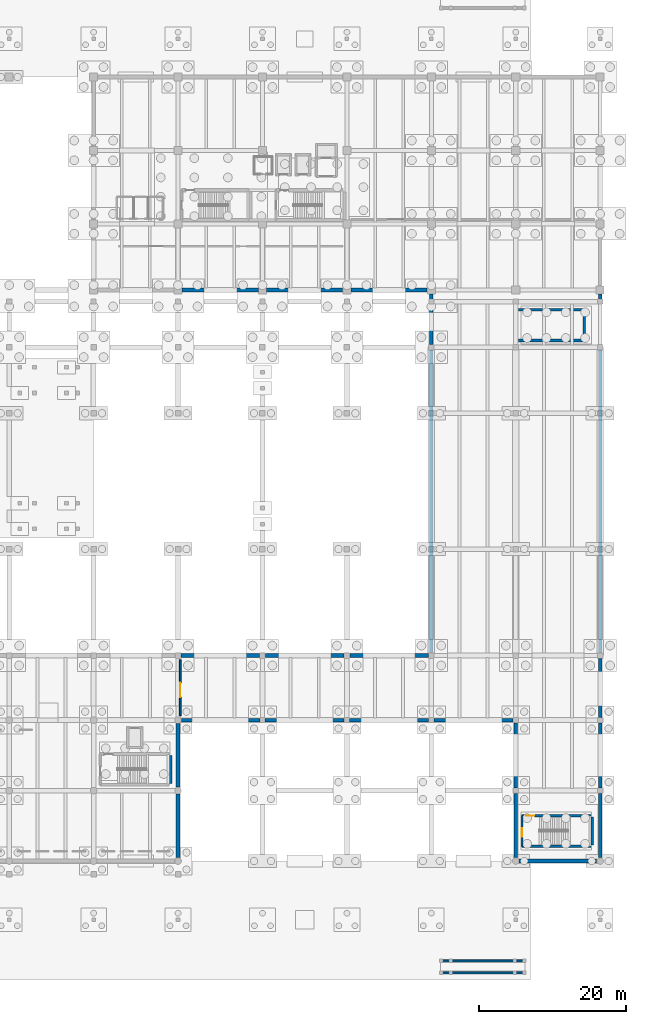
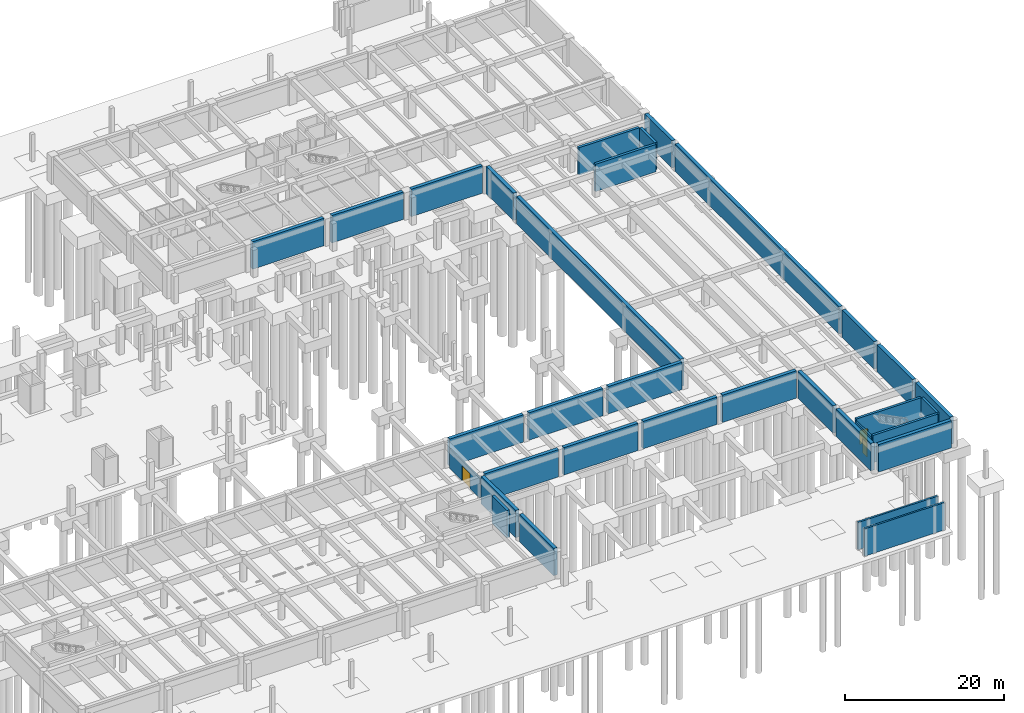
# One storey, part 22 of 28: 33 walls, 3 doors, 3 openings.
"""IFC4 building model written with IfcOpenShell, lengths in metres."""

from ifc_helpers import new_model, si_unit, direction, frame, frame_2d, origin, place, context, subcontext, project, spatial, rectangle, extrude, material, layer, layer_set, type_object, element, fill, save


model = new_model("IFC4")

# Units and contexts
model_context = context("Model", 3, precision=1e-05, world=origin(), true_north=direction((0.0, 1.0)))
body_context = subcontext(model_context, "Body", "Model", "MODEL_VIEW")
ifc_project = project(units=[si_unit("LENGTHUNIT", "METRE"), si_unit("AREAUNIT", "SQUARE_METRE"), si_unit("VOLUMEUNIT", "CUBIC_METRE"), si_unit("PLANEANGLEUNIT", "RADIAN"), si_unit("MASSUNIT", "GRAM", prefix="KILO")], contexts=[model_context])

# Site, building, storey
site_placement = place(None, origin())
site = spatial("IfcSite", under=ifc_project, at=site_placement, CompositionType="ELEMENT")
building_placement = place(site_placement, origin())
building = spatial("IfcBuilding", under=site, at=building_placement, Name="Ologun Quay Terminus", CompositionType="ELEMENT")
storey_placement = place(building_placement, frame((0.0, 0.0, -8.39990234375)))
storey = spatial("IfcBuildingStorey", under=building, at=storey_placement, Name="B02", CompositionType="ELEMENT", Elevation=-8.39990234375)

# Walls
ifc_material_1 = material(Name="Concrete C35/45", Category="concrete")
ifc_layer_1 = layer(ifc_material_1, 0.5)
ifc_layer_set_1 = layer_set([ifc_layer_1], Name="Concrete C35/45")
wall_type_1 = type_object("IfcWallType", Name="Basement Perimeter Retaining Wall 500", PredefinedType="SHEAR", material=ifc_layer_set_1)
for number, where, z_axis, x_axis, name in (
    (1, (126.5, 8.469970703125, 0.0), (0.0, 0.0, 1.0), (0.0, 1.0, 0.0), "Retaining Wall S6-Y1 B02"),
    (2, (126.5, 18.070068359375, 0.0), (0.0, 0.0, 1.0), (0.0, 1.0, 0.0), "Retaining Wall S6-Y2 B02"),
):
    element("IfcWall", number, at=place(storey_placement, frame(where, z_axis=z_axis, x_axis=x_axis)), inside=storey, type_object=wall_type_1, Name=name, PredefinedType="SHEAR", context=body_context, shape_type="SweptSolid", body=[
        extrude(rectangle(XDim=8.659912109375, YDim=0.5, at=frame_2d((4.330078125, 0.0))), origin(), (0.0, 0.0, 1.0), 4.199951171875),
    ])
wall_1_placement = place(storey_placement, frame((126.969970703125, 27.199951171875, 0.0), z_axis=(0.0, 0.0, 1.0), x_axis=(1.0, 0.0, 0.0)))
element("IfcWall", 3, at=wall_1_placement, inside=storey, type_object=wall_type_1, Name="Retaining Wall S7-12 B02", PredefinedType="SHEAR", context=body_context, shape_type="SweptSolid", body=[
    extrude(rectangle(XDim=10.659912109375, YDim=0.5, at=frame_2d((5.330078125, 0.0))), origin(), (0.0, 0.0, 1.0), 4.199951171875),
])
for number, where, z_axis, x_axis, name in (
    (4, (138.3701171875, 27.199951171875, 0.0), (0.0, 0.0, 1.0), (1.0, 0.0, 0.0), "Retaining Wall S7-13 B02"),
    (5, (149.8701171875, 27.199951171875, 0.0), (0.0, 0.0, 1.0), (1.0, 0.0, 0.0), "Retaining Wall S7-14 B02"),
    (6, (161.3701171875, 27.199951171875, 0.0), (0.0, 0.0, 1.0), (1.0, 0.0, 0.0), "Retaining Wall S7-15 B02"),
):
    element("IfcWall", number, at=place(storey_placement, frame(where, z_axis=z_axis, x_axis=x_axis)), inside=storey, type_object=wall_type_1, Name=name, PredefinedType="SHEAR", context=body_context, shape_type="SweptSolid", body=[
        extrude(rectangle(XDim=10.759765625, YDim=0.5, at=frame_2d((5.3798828125, 0.0))), origin(), (0.0, 0.0, 1.0), 4.199951171875),
    ])
wall_2_placement = place(storey_placement, frame((172.5, 8.469970703125, 0.0), z_axis=(0.0, 0.0, 1.0), x_axis=(0.0, 1.0, 0.0)))
element("IfcWall", 7, at=wall_2_placement, inside=storey, type_object=wall_type_1, Name="Retaining Wall S8-Y1 B02", PredefinedType="SHEAR", context=body_context, shape_type="SweptSolid", body=[
    extrude(rectangle(XDim=8.760009765625, YDim=0.5, at=frame_2d((4.3798828125, 0.0))), origin(), (0.0, 0.0, 1.0), 4.199951171875),
])
wall_3_placement = place(storey_placement, frame((172.5, 17.969970703125, 0.0), z_axis=(0.0, 0.0, 1.0), x_axis=(0.0, 1.0, 0.0)))
element("IfcWall", 8, at=wall_3_placement, inside=storey, type_object=wall_type_1, Name="Retaining Wall S8-Y2 B02", PredefinedType="SHEAR", context=body_context, shape_type="SweptSolid", body=[
    extrude(rectangle(XDim=8.860107421875, YDim=0.5, at=frame_2d((4.43017578125, 0.0))), origin(), (0.0, 0.0, 1.0), 4.199951171875),
])
wall_4_placement = place(storey_placement, frame((172.969970703125, 8.0, 0.0), z_axis=(0.0, 0.0, 1.0), x_axis=(1.0, 0.0, 0.0)))
element("IfcWall", 9, at=wall_4_placement, inside=storey, type_object=wall_type_1, Name="Retaining Wall S9-16 B02", PredefinedType="SHEAR", context=body_context, shape_type="SweptSolid", body=[
    extrude(rectangle(XDim=10.56005859375, YDim=0.5, at=frame_2d((5.280029296875, 0.0))), origin(), (0.0, 0.0, 1.0), 4.199951171875),
])
wall_5_placement = place(storey_placement, frame((184.0, 8.469970703125, 0.0), z_axis=(0.0, 0.0, 1.0), x_axis=(0.0, 1.0, 0.0)))
element("IfcWall", 10, at=wall_5_placement, inside=storey, type_object=wall_type_1, Name="Retaining Wall EG-Y1 B02", PredefinedType="SHEAR", context=body_context, shape_type="SweptSolid", body=[
    extrude(rectangle(XDim=8.760009765625, YDim=0.5, at=frame_2d((4.3798828125, 0.0))), origin(), (0.0, 0.0, 1.0), 4.199951171875),
])
wall_6_placement = place(storey_placement, frame((184.0, 17.969970703125, 0.0), z_axis=(0.0, 0.0, 1.0), x_axis=(0.0, 1.0, 0.0)))
element("IfcWall", 11, at=wall_6_placement, inside=storey, type_object=wall_type_1, Name="Retaining Wall EG-Y2 B02", PredefinedType="SHEAR", context=body_context, shape_type="SweptSolid", body=[
    extrude(rectangle(XDim=8.860107421875, YDim=0.5, at=frame_2d((4.43017578125, 0.0))), origin(), (0.0, 0.0, 1.0), 4.199951171875),
])
wall_7_placement = place(storey_placement, frame((184.0, 27.570068359375, 0.0), z_axis=(0.0, 0.0, 1.0), x_axis=(0.0, 1.0, 0.0)))
element("IfcWall", 12, at=wall_7_placement, inside=storey, type_object=wall_type_1, Name="Retaining Wall EG-Y3 B02", PredefinedType="SHEAR", context=body_context, shape_type="SweptSolid", body=[
    extrude(rectangle(XDim=8.034912109375, YDim=0.5, at=frame_2d((4.017578125, 0.0))), origin(), (0.0, 0.0, 1.0), 4.199951171875),
])
wall_8_placement = place(storey_placement, frame((184.0, 36.39501953125, 0.0), z_axis=(0.0, 0.0, 1.0), x_axis=(0.0, 1.0, 0.0)))
element("IfcWall", 13, at=wall_8_placement, inside=storey, type_object=wall_type_1, Name="Retaining Wall EG-Y4 B02", PredefinedType="SHEAR", context=body_context, shape_type="SweptSolid", body=[
    extrude(rectangle(XDim=41.2099609375, YDim=0.5, at=frame_2d((20.60498046875, 0.0))), origin(), (0.0, 0.0, 1.0), 4.199951171875),
])
wall_9_placement = place(storey_placement, frame((184.0, 78.39501953125, 0.0), z_axis=(0.0, 0.0, 1.0), x_axis=(0.0, 1.0, 0.0)))
element("IfcWall", 14, at=wall_9_placement, inside=storey, type_object=wall_type_1, Name="Retaining Wall EG-Y5 B02", PredefinedType="SHEAR", context=body_context, shape_type="SweptSolid", body=[
    extrude(rectangle(XDim=6.8349609375, YDim=0.5, at=frame_2d((3.41748046875, 0.0))), origin(), (0.0, 0.0, 1.0), 4.199951171875),
])
for number, where, z_axis, x_axis, name in (
    (15, (126.89501953125, 36.0, 0.0), (0.0, 0.0, 1.0), (1.0, 0.0, 0.0), "Retaining Wall TS-12 B02"),
    (16, (138.39501953125, 36.0, 0.0), (0.0, 0.0, 1.0), (1.0, 0.0, 0.0), "Retaining Wall TS-13 B02"),
    (17, (149.89501953125, 36.0, 0.0), (0.0, 0.0, 1.0), (1.0, 0.0, 0.0), "Retaining Wall TS-14 B02"),
):
    element("IfcWall", number, at=place(storey_placement, frame(where, z_axis=z_axis, x_axis=x_axis)), inside=storey, type_object=wall_type_1, Name=name, PredefinedType="SHEAR", context=body_context, shape_type="SweptSolid", body=[
        extrude(rectangle(XDim=10.7099609375, YDim=0.5, at=frame_2d((5.35498046875, 0.0))), origin(), (0.0, 0.0, 1.0), 4.199951171875),
    ])
wall_10_placement = place(storey_placement, frame((161.0, 36.39501953125, 0.0), z_axis=(0.0, 0.0, 1.0), x_axis=(0.0, 1.0, 0.0)))
element("IfcWall", 18, at=wall_10_placement, inside=storey, type_object=wall_type_1, Name="Retaining Wall TE-Y1 B02", PredefinedType="SHEAR", context=body_context, shape_type="SweptSolid", body=[
    extrude(rectangle(XDim=41.2099609375, YDim=0.5, at=frame_2d((20.60498046875, 0.0))), origin(), (0.0, 0.0, 1.0), 4.199951171875),
])
wall_11_placement = place(storey_placement, frame((161.0, 78.39501953125, 0.0), z_axis=(0.0, 0.0, 1.0), x_axis=(0.0, 1.0, 0.0)))
element("IfcWall", 19, at=wall_11_placement, inside=storey, type_object=wall_type_1, Name="Retaining Wall TE-Y2 B02", PredefinedType="SHEAR", context=body_context, shape_type="SweptSolid", body=[
    extrude(rectangle(XDim=6.8349609375, YDim=0.5, at=frame_2d((3.41748046875, 0.0))), origin(), (0.0, 0.0, 1.0), 4.199951171875),
])
for number, where, z_axis, x_axis, name in (
    (20, (127.070068359375, 85.800048828125, 0.0), (0.0, 0.0, 1.0), (1.0, 0.0, 0.0), "Retaining Wall TNE-12 B02"),
    (21, (138.570068359375, 85.800048828125, 0.0), (0.0, 0.0, 1.0), (1.0, 0.0, 0.0), "Retaining Wall TNE-13 B02"),
    (22, (150.070068359375, 85.800048828125, 0.0), (0.0, 0.0, 1.0), (1.0, 0.0, 0.0), "Retaining Wall TNE-14 B02"),
):
    element("IfcWall", number, at=place(storey_placement, frame(where, z_axis=z_axis, x_axis=x_axis)), inside=storey, type_object=wall_type_1, Name=name, PredefinedType="SHEAR", context=body_context, shape_type="SweptSolid", body=[
        extrude(rectangle(XDim=10.35986328125, YDim=0.5, at=frame_2d((5.179931640625, 0.0))), origin(), (0.0, 0.0, 1.0), 4.199951171875),
    ])

# Wall, opening, door
ifc_material_2 = material(Name="Concrete C40/50", Category="concrete")
ifc_layer_2 = layer(ifc_material_2, 0.239990234375)
ifc_layer_set_2 = layer_set([ifc_layer_2], Name="Concrete C40/50")
wall_type_2 = type_object("IfcWallType", Name="Fire Compartment Blockwork Wall 240", PredefinedType="SOLIDWALL", material=ifc_layer_set_2)
wall_12_placement = place(storey_placement, frame((173.35009765625, 10.02001953125, 0.0), z_axis=(0.0, 0.0, 1.0), x_axis=(0.0, 1.0, 0.0)))
wall_12 = element("IfcWall", 23, at=wall_12_placement, inside=storey, type_object=wall_type_2, Name="PW-01 Partition ST-S2-W", PredefinedType="SOLIDWALL", context=body_context, shape_type="SweptSolid", body=[
    extrude(rectangle(XDim=4.159912109375, YDim=0.239990234375, at=frame_2d((2.080078125, 0.0))), origin(), (0.0, 0.0, 1.0), 3.89990234375),
])
opening_1_placement = place(wall_12_placement, frame((1.300048828125, 0.0, 0.0)))
opening_1 = element("IfcOpeningElement", 24, at=opening_1_placement, cuts=wall_12, Name="Opening ID-237", PredefinedType="OPENING", context=body_context, shape_type="SweptSolid", body=[
    extrude(rectangle(XDim=1.1298828125, YDim=2.14990234375, at=frame_2d((0.56494140625, 1.074951171875))), frame((0.0, 0.1298828125, 0.0), z_axis=(0.0, -1.0, 0.0), x_axis=(1.0, 0.0, 0.0)), (0.0, 0.0, 1.0), 0.260009765625),
])
ifc_material_3 = material(Name="Steel S355", Category="steel")
door_type_1 = type_object("IfcDoorType", Name="Stairwell Fire Escape Door 1130x2150", OperationType="SINGLE_SWING_LEFT", PredefinedType="DOOR", material=ifc_material_3)
door_1_placement = place(opening_1_placement, frame((0.56494140625, 0.0, 0.0), z_axis=(0.0, 0.0, 1.0), x_axis=(-1.0, 0.0, 0.0)))
door_1 = element("IfcDoor", 25, at=door_1_placement, inside=storey, type_object=door_type_1, Name="FD-01 Door ID-237", OperationType="SINGLE_SWING_LEFT", OverallHeight=2.14990234375, OverallWidth=1.1298828125, PredefinedType="DOOR", context=body_context, shape_type="SweptSolid", body=[
    extrude(rectangle(XDim=1.1298828125, YDim=2.14990234375, at=frame_2d((0.0, 1.074951171875))), frame((0.0, 0.02490234375, 0.0), z_axis=(0.0, -1.0, 0.0), x_axis=(1.0, 0.0, 0.0)), (0.0, 0.0, 1.0), 0.050048828125),
])
fill(opening_1, door_1)

ifc_material_4 = material(Name="Concrete C40/50", Category="concrete")
ifc_layer_3 = layer(ifc_material_4, 0.219970703125)
ifc_layer_set_3 = layer_set([ifc_layer_3], Name="Concrete C40/50")
wall_type_3 = type_object("IfcWallType", Name="Plant & Substation Acoustic Wall 220", PredefinedType="SOLIDWALL", material=ifc_layer_set_3)
wall_13_placement = place(storey_placement, frame((126.800048828125, 27.800048828125, 0.0), z_axis=(0.0, 0.0, 1.0), x_axis=(0.0, 1.0, 0.0)))
wall_13 = element("IfcWall", 26, at=wall_13_placement, inside=storey, type_object=wall_type_3, Name="PW-08 Partition B02-Chiller-W", PredefinedType="SOLIDWALL", context=body_context, shape_type="SweptSolid", body=[
    extrude(rectangle(XDim=7.599853515625, YDim=0.219970703125, at=frame_2d((3.7998046875, 0.0))), origin(), (0.0, 0.0, 1.0), 3.02001953125),
])
opening_2_placement = place(wall_13_placement, frame((2.5, 0.0, 0.0)))
opening_2 = element("IfcOpeningElement", 27, at=opening_2_placement, cuts=wall_13, Name="Opening ID-289", PredefinedType="OPENING", context=body_context, shape_type="SweptSolid", body=[
    extrude(rectangle(XDim=2.0, YDim=2.300048828125, at=frame_2d((1.0, 1.14990234375))), frame((0.0, 0.1201171875, 0.0), z_axis=(0.0, -1.0, 0.0), x_axis=(1.0, 0.0, 0.0)), (0.0, 0.0, 1.0), 0.239990234375),
])
ifc_material_5 = material(Name="Steel S355", Category="steel")
door_type_2 = type_object("IfcDoorType", Name="Plant Room Heavy Fire Pair 2000x2300", OperationType="DOUBLE_DOOR_SINGLE_SWING", PredefinedType="DOOR", material=ifc_material_5)
door_2_placement = place(opening_2_placement, origin())
door_2 = element("IfcDoor", 28, at=door_2_placement, inside=storey, type_object=door_type_2, Name="FD-04 Door ID-289", OperationType="DOUBLE_DOOR_SINGLE_SWING", OverallHeight=2.300048828125, OverallWidth=2.0, PredefinedType="DOOR", context=body_context, shape_type="SweptSolid", body=[
    extrude(rectangle(XDim=2.0, YDim=2.300048828125, at=frame_2d((1.0, 1.14990234375))), frame((0.0, 0.02490234375, 0.0), z_axis=(0.0, -1.0, 0.0), x_axis=(1.0, 0.0, 0.0)), (0.0, 0.0, 1.0), 0.050048828125),
])
fill(opening_2, door_2)

# Walls
ifc_material_6 = material(Name="Concrete C40/50", Category="concrete")
ifc_layer_4 = layer(ifc_material_6, 0.3798828125)
ifc_layer_set_4 = layer_set([ifc_layer_4], Name="Concrete C40/50")
wall_type_4 = type_object("IfcWallType", Name="Platform Spine Shear Wall 380", PredefinedType="SHEAR", material=ifc_layer_set_4)
wall_14_placement = place(storey_placement, frame((125.489990234375, 18.60009765625, 0.0), z_axis=(0.0, 0.0, 1.0), x_axis=(0.0, 1.0, 0.0)))
element("IfcWall", 29, at=wall_14_placement, inside=storey, type_object=wall_type_4, Name="Station Core 4 E Shear Wall B02", PredefinedType="SHEAR", context=body_context, shape_type="SweptSolid", body=[
    extrude(rectangle(XDim=3.7998046875, YDim=0.3798828125, at=frame_2d((1.89990234375, 0.0))), origin(), (0.0, 0.0, 1.0), 4.199951171875),
])
for number, where, z_axis, x_axis, name in (
    (30, (172.85009765625, 78.909912109375, 0.0), (0.0, 0.0, 1.0), (1.0, 0.0, 0.0), "Station Core 6 S Shear Wall B02"),
    (31, (172.85009765625, 83.090087890625, 0.0), (0.0, 0.0, 1.0), (1.0, 0.0, 0.0), "Station Core 6 N Shear Wall B02"),
):
    element("IfcWall", number, at=place(storey_placement, frame(where, z_axis=z_axis, x_axis=x_axis)), inside=storey, type_object=wall_type_4, Name=name, PredefinedType="SHEAR", context=body_context, shape_type="SweptSolid", body=[
        extrude(rectangle(XDim=8.7998046875, YDim=0.3798828125, at=frame_2d((4.39990234375, 0.0))), origin(), (0.0, 0.0, 1.0), 4.199951171875),
    ])
wall_15_placement = place(storey_placement, frame((181.840087890625, 79.10009765625, 0.0), z_axis=(0.0, 0.0, 1.0), x_axis=(0.0, 1.0, 0.0)))
element("IfcWall", 32, at=wall_15_placement, inside=storey, type_object=wall_type_4, Name="Station Core 6 E Shear Wall B02", PredefinedType="SHEAR", context=body_context, shape_type="SweptSolid", body=[
    extrude(rectangle(XDim=3.7998046875, YDim=0.3798828125, at=frame_2d((1.89990234375, 0.0))), origin(), (0.0, 0.0, 1.0), 4.199951171875),
])
ifc_material_7 = material(Name="Concrete C40/50", Category="concrete")
ifc_layer_5 = layer(ifc_material_7, 0.35009765625)
ifc_layer_set_5 = layer_set([ifc_layer_5], Name="Concrete C40/50")
wall_type_5 = type_object("IfcWallType", Name="Station Core Shear Wall 350", PredefinedType="SHEAR", material=ifc_layer_set_5)
wall_16_placement = place(storey_placement, frame((173.35009765625, 10.02490234375, 0.0), z_axis=(0.0, 0.0, 1.0), x_axis=(1.0, 0.0, 0.0)))
element("IfcWall", 33, at=wall_16_placement, inside=storey, type_object=wall_type_5, Name="Station Core 2 S Shear Wall B02", PredefinedType="SHEAR", context=body_context, shape_type="SweptSolid", body=[
    extrude(rectangle(XDim=9.39990234375, YDim=0.35009765625, at=frame_2d((4.699951171875, 0.0))), origin(), (0.0, 0.0, 1.0), 4.199951171875),
])

# Wall, opening, door
wall_17_placement = place(storey_placement, frame((173.35009765625, 14.175048828125, 0.0), z_axis=(0.0, 0.0, 1.0), x_axis=(1.0, 0.0, 0.0)))
wall_17 = element("IfcWall", 34, at=wall_17_placement, inside=storey, type_object=wall_type_5, Name="Station Core 2 N Shear Wall B02", PredefinedType="SHEAR", context=body_context, shape_type="SweptSolid", body=[
    extrude(rectangle(XDim=9.39990234375, YDim=0.35009765625, at=frame_2d((4.699951171875, 0.0))), origin(), (0.0, 0.0, 1.0), 4.199951171875),
])
opening_3_placement = place(wall_17_placement, frame((0.550048828125, 0.0, 0.0)))
opening_3 = element("IfcOpeningElement", 35, at=opening_3_placement, cuts=wall_17, Name="Opening ID-238", PredefinedType="OPENING", context=body_context, shape_type="SweptSolid", body=[
    extrude(rectangle(XDim=1.1298828125, YDim=2.14990234375, at=frame_2d((0.56494140625, 1.074951171875))), frame((0.0, 0.18505859375, 0.0), z_axis=(0.0, -1.0, 0.0), x_axis=(1.0, 0.0, 0.0)), (0.0, 0.0, 1.0), 0.3701171875),
])
door_3_placement = place(opening_3_placement, frame((0.56494140625, 0.0, 0.0), z_axis=(0.0, 0.0, 1.0), x_axis=(-1.0, 0.0, 0.0)))
door_3 = element("IfcDoor", 36, at=door_3_placement, inside=storey, type_object=door_type_1, Name="FD-01 Door ID-238", OperationType="SINGLE_SWING_LEFT", OverallHeight=2.14990234375, OverallWidth=1.1298828125, PredefinedType="DOOR", context=body_context, shape_type="SweptSolid", body=[
    extrude(rectangle(XDim=1.1298828125, YDim=2.14990234375, at=frame_2d((0.0, 1.074951171875))), frame((0.0, 0.02490234375, 0.0), z_axis=(0.0, -1.0, 0.0), x_axis=(1.0, 0.0, 0.0)), (0.0, 0.0, 1.0), 0.050048828125),
])
fill(opening_3, door_3)

# Walls
wall_18_placement = place(storey_placement, frame((182.925048828125, 10.199951171875, 0.0), z_axis=(0.0, 0.0, 1.0), x_axis=(0.0, 1.0, 0.0)))
element("IfcWall", 37, at=wall_18_placement, inside=storey, type_object=wall_type_5, Name="Station Core 2 E Shear Wall B02", PredefinedType="SHEAR", context=body_context, shape_type="SweptSolid", body=[
    extrude(rectangle(XDim=3.800048828125, YDim=0.35009765625, at=frame_2d((1.89990234375, 0.0))), origin(), (0.0, 0.0, 1.0), 4.199951171875),
])
ifc_material_8 = material(Name="Concrete C40/50", Category="concrete")
ifc_layer_6 = layer(ifc_material_8, 0.27001953125)
ifc_layer_set_6 = layer_set([ifc_layer_6], Name="Concrete C40/50")
wall_type_6 = type_object("IfcWallType", Name="Vehicle Ramp Bay Structural Wall 270", PredefinedType="SHEAR", material=ifc_layer_set_6)
for number, where, z_axis, x_axis, name in (
    (38, (162.199951171875, -7.219970703125, 0.0), (0.0, 0.0, 1.0), (1.0, 0.0, 0.0), "SW-RMP Ramp Plinth Wall 4S B02"),
    (39, (162.199951171875, -5.580078125, 0.0), (0.0, 0.0, 1.0), (1.0, 0.0, 0.0), "SW-RMP Ramp Plinth Wall 4N B02"),
):
    element("IfcWall", number, at=place(storey_placement, frame(where, z_axis=z_axis, x_axis=x_axis)), inside=storey, type_object=wall_type_6, Name=name, PredefinedType="SHEAR", context=body_context, shape_type="SweptSolid", body=[
        extrude(rectangle(XDim=11.60009765625, YDim=0.27001953125, at=frame_2d((5.800048828125, 0.0))), origin(), (0.0, 0.0, 1.0), 4.199951171875),
    ])

save(model, "model.ifc")
